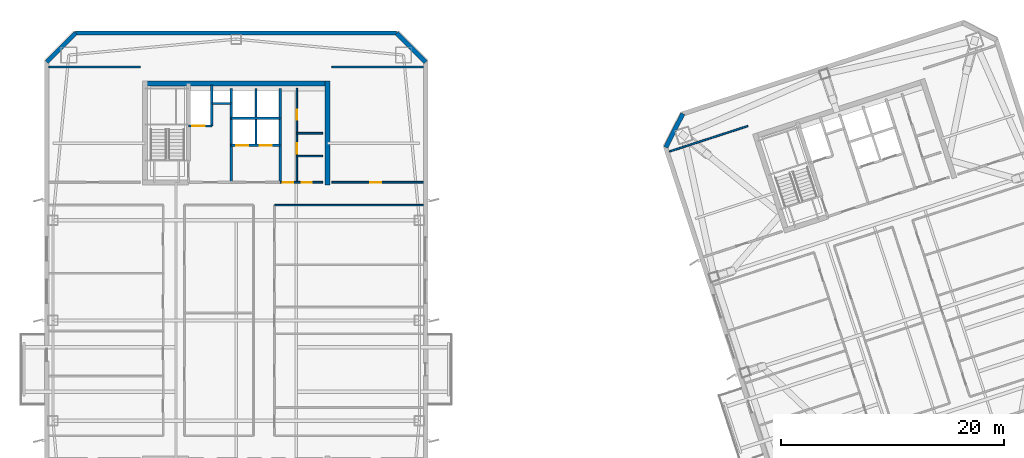
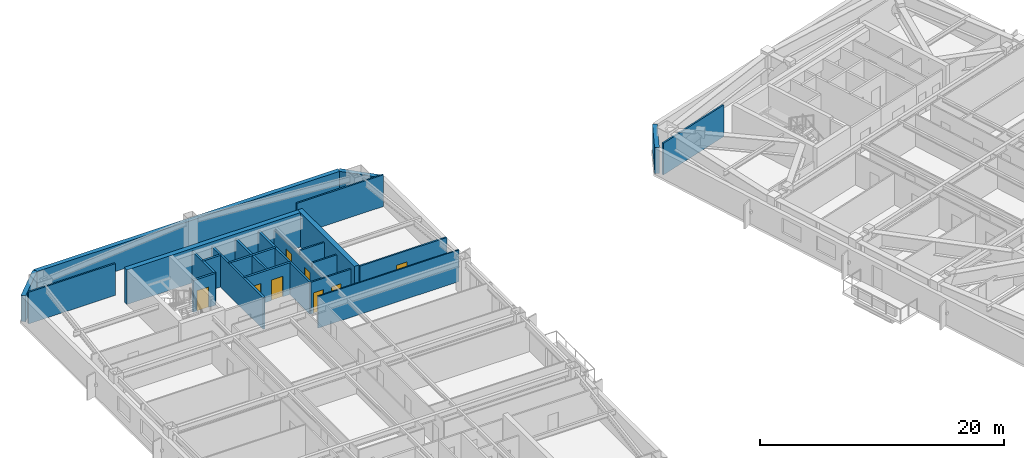
# One storey, part 8 of 18: 23 walls, 8 doors, 8 openings.
"""IFC4 building model written with IfcOpenShell, lengths in metres."""

from ifc_helpers import new_model, si_unit, direction, frame, frame_2d, origin, place, context, subcontext, project, spatial, rectangle, extrude, material, layer, layer_set, type_object, element, fill, save


model = new_model("IFC4")

# Units and contexts
model_context = context("Model", 3, precision=1e-05, world=origin(), true_north=direction((0.0, 1.0)))
body_context = subcontext(model_context, "Body", "Model", "MODEL_VIEW")
ifc_project = project(units=[si_unit("LENGTHUNIT", "METRE"), si_unit("AREAUNIT", "SQUARE_METRE"), si_unit("VOLUMEUNIT", "CUBIC_METRE"), si_unit("PLANEANGLEUNIT", "RADIAN"), si_unit("MASSUNIT", "GRAM", prefix="KILO")], contexts=[model_context])

# Site, building, storey
site_placement = place(None, origin())
site = spatial("IfcSite", under=ifc_project, at=site_placement, CompositionType="ELEMENT")
building_placement = place(site_placement, origin())
building = spatial("IfcBuilding", under=site, at=building_placement, Name="Qiaolan Cultural Towers", CompositionType="ELEMENT")
storey_placement = place(building_placement, frame((0.0, 0.0, 195.5)))
storey = spatial("IfcBuildingStorey", under=building, at=storey_placement, Name="L52", CompositionType="ELEMENT", Elevation=195.5)

# Walls
ifc_material_1 = material(Name="Concrete C50", Category="concrete")
ifc_layer_1 = layer(ifc_material_1, 0.449951171875)
ifc_layer_set_1 = layer_set([ifc_layer_1], Name="Concrete C50")
wall_type_1 = type_object("IfcWallType", Name="WL-CORE-450", PredefinedType="SHEAR", material=ifc_layer_set_1)
wall_1_placement = place(storey_placement, frame((21.574951171875, 55.280029296875, 0.0), z_axis=(0.0, 0.0, 1.0), x_axis=(1.0, 0.0, 0.0)))
element("IfcWall", 1, at=wall_1_placement, inside=storey, type_object=wall_type_1, Name="L52 T1-CN Outer Core Shear Wall", PredefinedType="SHEAR", context=body_context, shape_type="SweptSolid", body=[
    extrude(rectangle(XDim=16.85009765625, YDim=0.449951171875, at=frame_2d((8.425048828125, 0.0))), origin(), (0.0, 0.0, 1.0), 3.449951171875),
])
wall_2_placement = place(storey_placement, frame((38.199951171875, 46.175048828125, 0.0), z_axis=(0.0, 0.0, 1.0), x_axis=(0.0, 1.0, 0.0)))
element("IfcWall", 2, at=wall_2_placement, inside=storey, type_object=wall_type_1, Name="L52 T1-CN East Core Shear Wall", PredefinedType="SHEAR", context=body_context, shape_type="SweptSolid", body=[
    extrude(rectangle(XDim=9.329833984375, YDim=0.449951171875, at=frame_2d((4.6650390625, 0.0))), origin(), (0.0, 0.0, 1.0), 3.449951171875),
])
ifc_material_2 = material(Name="Precast Concrete C50 Honed Stone Pier", Category="masonry")
ifc_layer_2 = layer(ifc_material_2, 0.39990234375)
ifc_layer_set_2 = layer_set([ifc_layer_2], Name="Precast Concrete C50 Honed Stone Pier")
wall_type_2 = type_object("IfcWallType", Name="WL-EXT-PIER-400", PredefinedType="SOLIDWALL", material=ifc_layer_set_2)
wall_3_placement = place(storey_placement, frame((13.0, 57.199951171875, 0.0), z_axis=(0.0, 0.0, 1.0), x_axis=(0.707106781187, 0.707106781187, 0.0)))
element("IfcWall", 3, at=wall_3_placement, inside=storey, type_object=wall_type_2, Name="L52 West Tower Precast Pier Facade Wall F2", PredefinedType="SOLIDWALL", context=body_context, shape_type="SweptSolid", body=[
    extrude(rectangle(XDim=3.677001953125, YDim=0.39990234375, at=frame_2d((1.83837890625, 0.0))), origin(), (0.0, 0.0, 1.0), 2.610107421875),
])
wall_4_placement = place(storey_placement, frame((15.60009765625, 59.800048828125, 0.0), z_axis=(0.0, 0.0, 1.0), x_axis=(1.0, 0.0, 0.0)))
element("IfcWall", 4, at=wall_4_placement, inside=storey, type_object=wall_type_2, Name="L52 West Tower Precast Pier Facade Wall F3", PredefinedType="SOLIDWALL", context=body_context, shape_type="SweptSolid", body=[
    extrude(rectangle(XDim=28.7998046875, YDim=0.39990234375, at=frame_2d((14.39990234375, 0.0))), origin(), (0.0, 0.0, 1.0), 2.610107421875),
])
wall_5_placement = place(storey_placement, frame((44.39990234375, 59.800048828125, 0.0), z_axis=(0.0, 0.0, 1.0), x_axis=(0.707106781187, -0.707106781187, 0.0)))
element("IfcWall", 5, at=wall_5_placement, inside=storey, type_object=wall_type_2, Name="L52 West Tower Precast Pier Facade Wall F4", PredefinedType="SOLIDWALL", context=body_context, shape_type="SweptSolid", body=[
    extrude(rectangle(XDim=3.677001953125, YDim=0.39990234375, at=frame_2d((1.83837890625, 0.0))), origin(), (0.0, 0.0, 1.0), 2.610107421875),
])
wall_6_placement = place(storey_placement, frame((68.550537109375, 49.531982421875, 0.0), z_axis=(0.0, 0.0, 1.0), x_axis=(0.454019523198, 0.890991735402, 0.0)))
element("IfcWall", 6, at=wall_6_placement, inside=storey, type_object=wall_type_2, Name="L52 East Tower Precast Pier Facade Wall F2", PredefinedType="SOLIDWALL", context=body_context, shape_type="SweptSolid", body=[
    extrude(rectangle(XDim=3.39404296875, YDim=0.39990234375, at=frame_2d((1.697021484375, 0.0))), origin(), (0.0, 0.0, 1.0), 2.610107421875),
])
ifc_material_3 = material(Name="Concrete C35 Fire Wall", Category="concrete")
ifc_layer_3 = layer(ifc_material_3, 0.199951171875)
ifc_layer_set_3 = layer_set([ifc_layer_3], Name="Concrete C35 Fire Wall")
wall_type_3 = type_object("IfcWallType", Name="WL-FIRE-200", PredefinedType="PARTITIONING", material=ifc_layer_set_3)
wall_7_placement = place(storey_placement, frame((29.550048828125, 46.39990234375, 0.0), z_axis=(0.0, 0.0, 1.0), x_axis=(0.0, 1.0, 0.0)))
element("IfcWall", 7, at=wall_7_placement, inside=storey, type_object=wall_type_3, Name="L52 T1-CN Firefighting Zone Wall", PredefinedType="PARTITIONING", context=body_context, shape_type="SweptSolid", body=[
    extrude(rectangle(XDim=8.43017578125, YDim=0.199951171875, at=frame_2d((4.215087890625, 0.0))), origin(), (0.0, 0.0, 1.0), 3.175048828125),
])

# Wall, opening, door
wall_8_placement = place(storey_placement, frame((25.719970703125, 51.449951171875, 0.0), z_axis=(0.0, 0.0, 1.0), x_axis=(1.0, 0.0, 0.0)))
wall_8 = element("IfcWall", 8, at=wall_8_placement, inside=storey, type_object=wall_type_3, Name="L52 T1-CN Firefighting Shaft Front Wall", PredefinedType="PARTITIONING", context=body_context, shape_type="SweptSolid", body=[
    extrude(rectangle(XDim=2.10009765625, YDim=0.199951171875, at=frame_2d((1.050048828125, 0.0))), origin(), (0.0, 0.0, 1.0), 3.175048828125),
])
opening_1_placement = place(wall_8_placement, frame((0.35009765625, 0.0, 0.0)))
opening_1 = element("IfcOpeningElement", 9, at=opening_1_placement, cuts=wall_8, Name="Opening LD-01", PredefinedType="OPENING", context=body_context, shape_type="SweptSolid", body=[
    extrude(rectangle(XDim=1.10009765625, YDim=2.050048828125, at=frame_2d((0.550048828125, 1.02490234375))), frame((0.0, 0.10986328125, 0.0), z_axis=(0.0, -1.0, 0.0), x_axis=(1.0, 0.0, 0.0)), (0.0, 0.0, 1.0), 0.219970703125),
])
ifc_material_4 = material(Name="Brushed Stainless Steel S30408 Centre-Parting Lift Landing Door", Category="steel")
door_type_1 = type_object("IfcDoorType", Name="DR-LIFT-1100", OperationType="NOTDEFINED", PredefinedType="DOOR", material=ifc_material_4)
door_1_placement = place(opening_1_placement, origin())
door_1 = element("IfcDoor", 10, at=door_1_placement, inside=storey, type_object=door_type_1, Name="L52 FFL-W2 Firefighting Lift Landing Door", OperationType="DOUBLE_DOOR_SLIDING", OverallHeight=2.050048828125, OverallWidth=1.10009765625, PredefinedType="DOOR", context=body_context, shape_type="SweptSolid", body=[
    extrude(rectangle(XDim=1.10009765625, YDim=2.050048828125, at=frame_2d((0.550048828125, 1.02490234375))), frame((0.0, 0.02490234375, 0.0), z_axis=(0.0, -1.0, 0.0), x_axis=(1.0, 0.0, 0.0)), (0.0, 0.0, 1.0), 0.050048828125),
])
fill(opening_1, door_1)

# Walls
wall_9_placement = place(storey_placement, frame((27.820068359375, 51.449951171875, 0.0), z_axis=(0.0, 0.0, 1.0), x_axis=(0.0, 1.0, 0.0)))
element("IfcWall", 11, at=wall_9_placement, inside=storey, type_object=wall_type_3, Name="L52 T1-CN Firefighting Hoistway East Wall", PredefinedType="PARTITIONING", context=body_context, shape_type="SweptSolid", body=[
    extrude(rectangle(XDim=3.699951171875, YDim=0.199951171875, at=frame_2d((1.85009765625, 0.0))), origin(), (0.0, 0.0, 1.0), 3.175048828125),
])
wall_10_placement = place(storey_placement, frame((27.820068359375, 53.47998046875, 0.0), z_axis=(0.0, 0.0, 1.0), x_axis=(1.0, 0.0, 0.0)))
element("IfcWall", 12, at=wall_10_placement, inside=storey, type_object=wall_type_3, Name="L52 T1-CN Pressurization Shaft Front Wall", PredefinedType="PARTITIONING", context=body_context, shape_type="SweptSolid", body=[
    extrude(rectangle(XDim=1.72998046875, YDim=0.199951171875, at=frame_2d((0.864990234375, 0.0))), origin(), (0.0, 0.0, 1.0), 3.175048828125),
])
wall_11_placement = place(storey_placement, frame((33.949951171875, 46.39990234375, 0.0), z_axis=(0.0, 0.0, 1.0), x_axis=(0.0, 1.0, 0.0)))
element("IfcWall", 13, at=wall_11_placement, inside=storey, type_object=wall_type_3, Name="L52 T1-CN Lift Core East Wall", PredefinedType="PARTITIONING", context=body_context, shape_type="SweptSolid", body=[
    extrude(rectangle(XDim=8.43017578125, YDim=0.199951171875, at=frame_2d((4.215087890625, 0.0))), origin(), (0.0, 0.0, 1.0), 3.175048828125),
])

# Wall, openings, doors
wall_12_placement = place(storey_placement, frame((29.550048828125, 49.719970703125, 0.0), z_axis=(0.0, 0.0, 1.0), x_axis=(1.0, 0.0, 0.0)))
wall_12 = element("IfcWall", 14, at=wall_12_placement, inside=storey, type_object=wall_type_3, Name="L52 T1-CN Passenger Lift Shaft Front Wall", PredefinedType="PARTITIONING", context=body_context, shape_type="SweptSolid", body=[
    extrude(rectangle(XDim=4.39990234375, YDim=0.199951171875, at=frame_2d((2.199951171875, 0.0))), origin(), (0.0, 0.0, 1.0), 3.175048828125),
])
opening_2_placement = place(wall_12_placement, frame((0.449951171875, 0.0, 0.0)))
opening_2 = element("IfcOpeningElement", 15, at=opening_2_placement, cuts=wall_12, Name="Opening LD-01", PredefinedType="OPENING", context=body_context, shape_type="SweptSolid", body=[
    extrude(rectangle(XDim=1.10009765625, YDim=2.050048828125, at=frame_2d((0.550048828125, 1.02490234375))), frame((0.0, 0.10986328125, 0.0), z_axis=(0.0, -1.0, 0.0), x_axis=(1.0, 0.0, 0.0)), (0.0, 0.0, 1.0), 0.219970703125),
])
opening_3_placement = place(wall_12_placement, frame((2.550048828125, 0.0, 0.0)))
opening_3 = element("IfcOpeningElement", 16, at=opening_3_placement, cuts=wall_12, Name="Opening LD-01", PredefinedType="OPENING", context=body_context, shape_type="SweptSolid", body=[
    extrude(rectangle(XDim=1.10009765625, YDim=2.050048828125, at=frame_2d((0.550048828125, 1.02490234375))), frame((0.0, 0.10986328125, 0.0), z_axis=(0.0, -1.0, 0.0), x_axis=(1.0, 0.0, 0.0)), (0.0, 0.0, 1.0), 0.219970703125),
])
door_2_placement = place(opening_2_placement, origin())
door_2 = element("IfcDoor", 17, at=door_2_placement, inside=storey, type_object=door_type_1, Name="L52 Passenger Lift 1 Landing Door", OperationType="DOUBLE_DOOR_SLIDING", OverallHeight=2.050048828125, OverallWidth=1.10009765625, PredefinedType="DOOR", context=body_context, shape_type="SweptSolid", body=[
    extrude(rectangle(XDim=1.10009765625, YDim=2.050048828125, at=frame_2d((0.550048828125, 1.02490234375))), frame((0.0, 0.02490234375, 0.0), z_axis=(0.0, -1.0, 0.0), x_axis=(1.0, 0.0, 0.0)), (0.0, 0.0, 1.0), 0.050048828125),
])
fill(opening_2, door_2)
door_3_placement = place(opening_3_placement, origin())
door_3 = element("IfcDoor", 18, at=door_3_placement, inside=storey, type_object=door_type_1, Name="L52 Passenger Lift 2 Landing Door", OperationType="DOUBLE_DOOR_SLIDING", OverallHeight=2.050048828125, OverallWidth=1.10009765625, PredefinedType="DOOR", context=body_context, shape_type="SweptSolid", body=[
    extrude(rectangle(XDim=1.10009765625, YDim=2.050048828125, at=frame_2d((0.550048828125, 1.02490234375))), frame((0.0, 0.02490234375, 0.0), z_axis=(0.0, -1.0, 0.0), x_axis=(1.0, 0.0, 0.0)), (0.0, 0.0, 1.0), 0.050048828125),
])
fill(opening_3, door_3)

# Walls
wall_13_placement = place(storey_placement, frame((31.780029296875, 49.719970703125, 0.0), z_axis=(0.0, 0.0, 1.0), x_axis=(0.0, 1.0, 0.0)))
element("IfcWall", 19, at=wall_13_placement, inside=storey, type_object=wall_type_3, Name="L52 T1-CN Lift Shaft Divider Wall", PredefinedType="PARTITIONING", context=body_context, shape_type="SweptSolid", body=[
    extrude(rectangle(XDim=5.110107421875, YDim=0.199951171875, at=frame_2d((2.55517578125, 0.0))), origin(), (0.0, 0.0, 1.0), 3.175048828125),
])
wall_14_placement = place(storey_placement, frame((29.550048828125, 52.14990234375, 0.0), z_axis=(0.0, 0.0, 1.0), x_axis=(1.0, 0.0, 0.0)))
element("IfcWall", 20, at=wall_14_placement, inside=storey, type_object=wall_type_3, Name="L52 T1-CN Passenger Lift Shaft Back Wall", PredefinedType="PARTITIONING", context=body_context, shape_type="SweptSolid", body=[
    extrude(rectangle(XDim=4.39990234375, YDim=0.199951171875, at=frame_2d((2.199951171875, 0.0))), origin(), (0.0, 0.0, 1.0), 3.175048828125),
])
ifc_material_5 = material(Name="Gypsum Stud Acoustic Partition", Category="gypsum")
ifc_layer_4 = layer(ifc_material_5, 0.1201171875)
ifc_layer_set_4 = layer_set([ifc_layer_4], Name="Gypsum Stud Acoustic Partition")
wall_type_4 = type_object("IfcWallType", Name="WL-PART-120", PredefinedType="PARTITIONING", material=ifc_layer_set_4)
wall_15_placement = place(storey_placement, frame((33.449951171875, 44.35009765625, 0.0), z_axis=(0.0, 0.0, 1.0), x_axis=(1.0, 0.0, 0.0)))
element("IfcWall", 21, at=wall_15_placement, inside=storey, type_object=wall_type_4, Name="L52 T1 Interior Wall", PredefinedType="PARTITIONING", context=body_context, shape_type="SweptSolid", body=[
    extrude(rectangle(XDim=13.35009765625, YDim=0.1201171875, at=frame_2d((6.675048828125, 0.0))), origin(), (0.0, 0.0, 1.0), 3.175048828125),
])

# Wall, openings, doors
ifc_material_6 = material(Name="Autoclaved Aerated Concrete Block B06", Category="concrete")
ifc_layer_5 = layer(ifc_material_6, 0.14990234375)
ifc_layer_set_5 = layer_set([ifc_layer_5], Name="Autoclaved Aerated Concrete Block B06")
wall_type_5 = type_object("IfcWallType", Name="WL-PART-150", PredefinedType="PARTITIONING", material=ifc_layer_set_5)
wall_16_placement = place(storey_placement, frame((33.949951171875, 46.39990234375, 0.0), z_axis=(0.0, 0.0, 1.0), x_axis=(1.0, 0.0, 0.0)))
wall_16 = element("IfcWall", 22, at=wall_16_placement, inside=storey, type_object=wall_type_5, Name="L52 T1-CN Sanitary Core Front Wall", PredefinedType="PARTITIONING", context=body_context, shape_type="SweptSolid", body=[
    extrude(rectangle(XDim=3.800048828125, YDim=0.14990234375, at=frame_2d((1.89990234375, 0.0))), origin(), (0.0, 0.0, 1.0), 3.175048828125),
])
opening_4_placement = place(wall_16_placement, frame((0.219970703125, 0.0, 0.0)))
opening_4 = element("IfcOpeningElement", 23, at=opening_4_placement, cuts=wall_16, Name="Opening ID-05", PredefinedType="OPENING", context=body_context, shape_type="SweptSolid", body=[
    extrude(rectangle(XDim=0.949951171875, YDim=2.050048828125, at=frame_2d((0.47509765625, 1.02490234375))), frame((0.0, 0.0849609375, 0.0), z_axis=(0.0, -1.0, 0.0), x_axis=(1.0, 0.0, 0.0)), (0.0, 0.0, 1.0), 0.169921875),
])
opening_5_placement = place(wall_16_placement, frame((1.949951171875, 0.0, 0.0)))
opening_5 = element("IfcOpeningElement", 24, at=opening_5_placement, cuts=wall_16, Name="Opening ID-06", PredefinedType="OPENING", context=body_context, shape_type="SweptSolid", body=[
    extrude(rectangle(XDim=0.89990234375, YDim=2.050048828125, at=frame_2d((0.449951171875, 1.02490234375))), frame((0.0, 0.0849609375, 0.0), z_axis=(0.0, -1.0, 0.0), x_axis=(1.0, 0.0, 0.0)), (0.0, 0.0, 1.0), 0.169921875),
])
ifc_material_7 = material(Name="Fire-Rated Laminate Core Service Door", Category="timber")
door_type_2 = type_object("IfcDoorType", Name="DR-INT-900", OperationType="NOTDEFINED", PredefinedType="DOOR", material=ifc_material_7)
door_4_placement = place(opening_5_placement, origin())
door_4 = element("IfcDoor", 25, at=door_4_placement, inside=storey, type_object=door_type_2, Name="L52 Core Tea Pantry Door", OperationType="SINGLE_SWING_RIGHT", OverallHeight=2.050048828125, OverallWidth=0.89990234375, PredefinedType="DOOR", context=body_context, shape_type="SweptSolid", body=[
    extrude(rectangle(XDim=0.89990234375, YDim=2.050048828125, at=frame_2d((0.449951171875, 1.02490234375))), frame((0.0, 0.02490234375, 0.0), z_axis=(0.0, -1.0, 0.0), x_axis=(1.0, 0.0, 0.0)), (0.0, 0.0, 1.0), 0.050048828125),
])
fill(opening_5, door_4)
ifc_material_8 = material(Name="Fire-Rated Laminate Accessible Core Door", Category="timber")
door_type_3 = type_object("IfcDoorType", Name="DR-INT-950", OperationType="NOTDEFINED", PredefinedType="DOOR", material=ifc_material_8)
door_5_placement = place(opening_4_placement, origin())
door_5 = element("IfcDoor", 26, at=door_5_placement, inside=storey, type_object=door_type_3, Name="L52 Sanitary Passage Door", OperationType="SINGLE_SWING_LEFT", OverallHeight=2.050048828125, OverallWidth=0.949951171875, PredefinedType="DOOR", context=body_context, shape_type="SweptSolid", body=[
    extrude(rectangle(XDim=0.949951171875, YDim=2.050048828125, at=frame_2d((0.47509765625, 1.02490234375))), frame((0.0, 0.02490234375, 0.0), z_axis=(0.0, -1.0, 0.0), x_axis=(1.0, 0.0, 0.0)), (0.0, 0.0, 1.0), 0.050048828125),
])
fill(opening_4, door_5)

wall_17_placement = place(storey_placement, frame((35.449951171875, 46.39990234375, 0.0), z_axis=(0.0, 0.0, 1.0), x_axis=(0.0, 1.0, 0.0)))
wall_17 = element("IfcWall", 27, at=wall_17_placement, inside=storey, type_object=wall_type_5, Name="L52 T1-CN Sanitary Corridor Wall", PredefinedType="PARTITIONING", context=body_context, shape_type="SweptSolid", body=[
    extrude(rectangle(XDim=8.43017578125, YDim=0.14990234375, at=frame_2d((4.215087890625, 0.0))), origin(), (0.0, 0.0, 1.0), 2.764892578125),
])
opening_6_placement = place(wall_17_placement, frame((2.550048828125, 0.0, 0.0)))
opening_6 = element("IfcOpeningElement", 28, at=opening_6_placement, cuts=wall_17, Name="Opening ID-05", PredefinedType="OPENING", context=body_context, shape_type="SweptSolid", body=[
    extrude(rectangle(XDim=0.949951171875, YDim=2.050048828125, at=frame_2d((0.47509765625, 1.02490234375))), frame((0.0, 0.0849609375, 0.0), z_axis=(0.0, -1.0, 0.0), x_axis=(1.0, 0.0, 0.0)), (0.0, 0.0, 1.0), 0.169921875),
])
opening_7_placement = place(wall_17_placement, frame((5.60009765625, 0.0, 0.0)))
opening_7 = element("IfcOpeningElement", 29, at=opening_7_placement, cuts=wall_17, Name="Opening ID-06", PredefinedType="OPENING", context=body_context, shape_type="SweptSolid", body=[
    extrude(rectangle(XDim=0.89990234375, YDim=2.050048828125, at=frame_2d((0.449951171875, 1.02490234375))), frame((0.0, 0.0849609375, 0.0), z_axis=(0.0, -1.0, 0.0), x_axis=(1.0, 0.0, 0.0)), (0.0, 0.0, 1.0), 0.169921875),
])
door_6_placement = place(opening_7_placement, origin())
door_6 = element("IfcDoor", 30, at=door_6_placement, inside=storey, type_object=door_type_2, Name="L52 Staff Restroom Door", OperationType="SINGLE_SWING_RIGHT", OverallHeight=2.050048828125, OverallWidth=0.89990234375, PredefinedType="DOOR", context=body_context, shape_type="SweptSolid", body=[
    extrude(rectangle(XDim=0.89990234375, YDim=2.050048828125, at=frame_2d((0.449951171875, 1.02490234375))), frame((0.0, 0.02490234375, 0.0), z_axis=(0.0, -1.0, 0.0), x_axis=(1.0, 0.0, 0.0)), (0.0, 0.0, 1.0), 0.050048828125),
])
fill(opening_7, door_6)
door_7_placement = place(opening_6_placement, origin())
door_7 = element("IfcDoor", 31, at=door_7_placement, inside=storey, type_object=door_type_3, Name="L52 Accessible Washroom Door", OperationType="SINGLE_SWING_LEFT", OverallHeight=2.050048828125, OverallWidth=0.949951171875, PredefinedType="DOOR", context=body_context, shape_type="SweptSolid", body=[
    extrude(rectangle(XDim=0.949951171875, YDim=2.050048828125, at=frame_2d((0.47509765625, 1.02490234375))), frame((0.0, 0.02490234375, 0.0), z_axis=(0.0, -1.0, 0.0), x_axis=(1.0, 0.0, 0.0)), (0.0, 0.0, 1.0), 0.050048828125),
])
fill(opening_6, door_7)

# Walls
for number, where, z_axis, x_axis, name in (
    (32, (35.449951171875, 50.800048828125, 0.0), (0.0, 0.0, 1.0), (1.0, 0.0, 0.0), "L52 T1-CN Restroom Split Wall"),
    (33, (35.449951171875, 48.75, 0.0), (0.0, 0.0, 1.0), (1.0, 0.0, 0.0), "L52 T1-CN Core Pantry Wall"),
):
    element("IfcWall", number, at=place(storey_placement, frame(where, z_axis=z_axis, x_axis=x_axis)), inside=storey, type_object=wall_type_5, Name=name, PredefinedType="PARTITIONING", context=body_context, shape_type="SweptSolid", body=[
        extrude(rectangle(XDim=2.300048828125, YDim=0.14990234375, at=frame_2d((1.14990234375, 0.0))), origin(), (0.0, 0.0, 1.0), 3.175048828125),
    ])
for number, where, z_axis, x_axis, name in (
    (34, (13.199951171875, 56.75, 0.0), (0.0, 0.0, 1.0), (1.0, 0.0, 0.0), "L52 T1 Flank Wall FLK-NW"),
    (35, (38.60009765625, 56.75, 0.0), (0.0, 0.0, 1.0), (1.0, 0.0, 0.0), "L52 T1 Flank Wall FLK-NE"),
):
    element("IfcWall", number, at=place(storey_placement, frame(where, z_axis=z_axis, x_axis=x_axis)), inside=storey, type_object=wall_type_5, Name=name, PredefinedType="PARTITIONING", context=body_context, shape_type="SweptSolid", body=[
        extrude(rectangle(XDim=8.199951171875, YDim=0.14990234375, at=frame_2d((4.10009765625, 0.0))), origin(), (0.0, 0.0, 1.0), 3.175048828125),
    ])

# Wall, opening, door
wall_18_placement = place(storey_placement, frame((38.60009765625, 46.39990234375, 0.0), z_axis=(0.0, 0.0, 1.0), x_axis=(1.0, 0.0, 0.0)))
wall_18 = element("IfcWall", 36, at=wall_18_placement, inside=storey, type_object=wall_type_5, Name="L52 T1 Flank Front FLK-NE", PredefinedType="PARTITIONING", context=body_context, shape_type="SweptSolid", body=[
    extrude(rectangle(XDim=8.199951171875, YDim=0.14990234375, at=frame_2d((4.10009765625, 0.0))), origin(), (0.0, 0.0, 1.0), 3.175048828125),
])
opening_8_placement = place(wall_18_placement, frame((3.444091796875, 0.0, 0.0)))
opening_8 = element("IfcOpeningElement", 37, at=opening_8_placement, cuts=wall_18, Name="Opening ID-04", PredefinedType="OPENING", context=body_context, shape_type="SweptSolid", body=[
    extrude(rectangle(XDim=1.0, YDim=2.050048828125, at=frame_2d((0.5, 1.02490234375))), frame((0.0, 0.0849609375, 0.0), z_axis=(0.0, -1.0, 0.0), x_axis=(1.0, 0.0, 0.0)), (0.0, 0.0, 1.0), 0.169921875),
])
ifc_material_9 = material(Name="Oak Veneer Acoustic Office Door", Category="timber")
door_type_4 = type_object("IfcDoorType", Name="DR-INT-1000", OperationType="NOTDEFINED", PredefinedType="DOOR", material=ifc_material_9)
door_8_placement = place(opening_8_placement, origin())
door_8 = element("IfcDoor", 38, at=door_8_placement, inside=storey, type_object=door_type_4, Name="L52 T1 Corner Studio Door", OperationType="SINGLE_SWING_LEFT", OverallHeight=2.050048828125, OverallWidth=1.0, PredefinedType="DOOR", context=body_context, shape_type="SweptSolid", body=[
    extrude(rectangle(XDim=1.0, YDim=2.050048828125, at=frame_2d((0.5, 1.02490234375))), frame((0.0, 0.02490234375, 0.0), z_axis=(0.0, -1.0, 0.0), x_axis=(1.0, 0.0, 0.0)), (0.0, 0.0, 1.0), 0.050048828125),
])
fill(opening_8, door_8)

# Wall
wall_19_placement = place(storey_placement, frame((68.8798828125, 49.165771484375, 0.0), z_axis=(0.0, 0.0, 1.0), x_axis=(0.951060977215, 0.309003264738, 0.0)))
element("IfcWall", 39, at=wall_19_placement, inside=storey, type_object=wall_type_5, Name="L52 T2 Flank Wall FLK-NW", PredefinedType="PARTITIONING", context=body_context, shape_type="SweptSolid", body=[
    extrude(rectangle(XDim=7.39990234375, YDim=0.14990234375, at=frame_2d((3.699951171875, 0.0))), origin(), (0.0, 0.0, 1.0), 3.175048828125),
])

save(model, "model.ifc")
